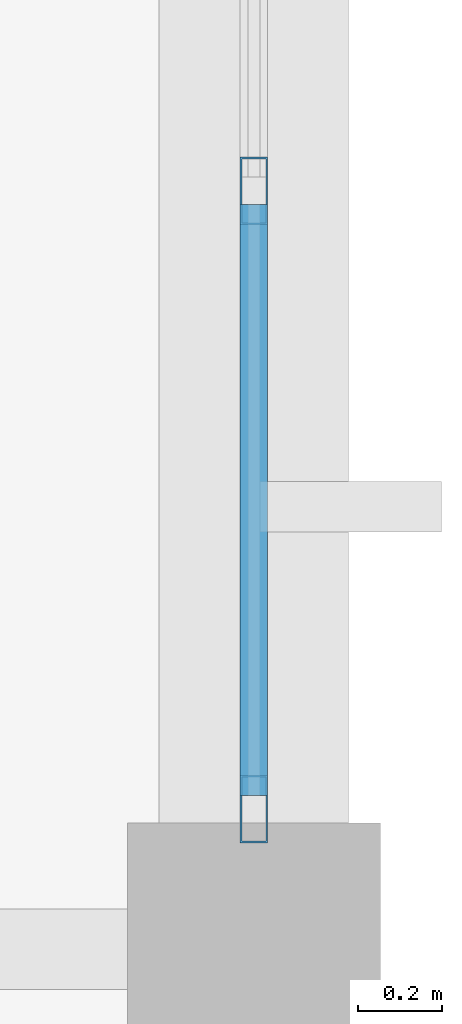
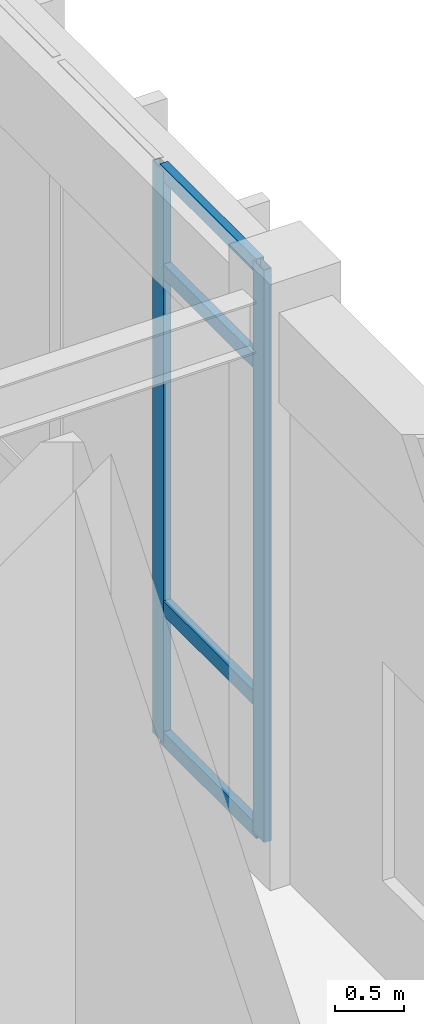
# One storey, part 119 of 188: 6 members, 1 element without a shape of its own.
"""IFC4 building model written with IfcOpenShell, lengths in metres."""

import ifcopenshell
import ifcopenshell.guid

model = None  # the IFC model being written
_history = None  # IfcOwnerHistory: only IFC2X3 demands one
_inside = {}  # id of a spatial element -> (the spatial element, [elements in it])
_under = {}  # id of a project, library or spatial element -> (it, [spatial elements below it])
_declared = {}  # id of a project -> (the project, [libraries it declares])
_typed = {}  # id of a type object -> (the type object, [elements of that type])
_made_of = {}  # id of a material, layer set ... -> (it, [elements and type objects made of it])


def new_model(schema):
    """Start an empty IFC model of exactly this schema.

    Asked for "IFC4X3", IfcOpenShell would pick the latest addendum, in which some entities
    have other attributes; the version numbers below select the first issue.
    IFC2X3 requires an IfcOwnerHistory on every rooted entity: one is made here for all.
    """
    global model, _history
    if schema == "IFC4X3":
        model = ifcopenshell.file(schema_version=(4, 3, 0, 0))
    else:
        model = ifcopenshell.file(schema=schema)
    _inside.clear()
    _under.clear()
    _declared.clear()
    _typed.clear()
    _made_of.clear()
    _history = None
    if model.schema == "IFC2X3":
        org = make("IfcOrganization", Name="unknown")
        user = make(
            "IfcPersonAndOrganization",
            ThePerson=make("IfcPerson", FamilyName="unknown"),
            TheOrganization=org,
        )
        app = make(
            "IfcApplication",
            ApplicationDeveloper=org,
            Version="unknown",
            ApplicationFullName="unknown",
            ApplicationIdentifier="unknown",
        )
        _history = make(
            "IfcOwnerHistory",
            OwningUser=user,
            OwningApplication=app,
            ChangeAction="ADDED",
            CreationDate=0,
        )
    return model


def make(cls, **values):
    """One entity of the class cls with the attributes given. An attribute that is None is left unset."""
    return model.create_entity(
        cls, **{name: value for name, value in values.items() if value is not None}
    )


def rooted(cls, **values):
    """An entity with a GlobalId (a new one), such as an element, a storey or a relation."""
    return make(cls, GlobalId=ifcopenshell.guid.new(), OwnerHistory=_history, **values)


def si_unit(unit_type, name, prefix=None):
    """IfcSIUnit, for example si_unit("LENGTHUNIT", "METRE", prefix="MILLI")."""
    return make("IfcSIUnit", UnitType=unit_type, Prefix=prefix, Name=name)


def assignment(units):
    """IfcUnitAssignment: the units of a project."""
    return None if units is None else make("IfcUnitAssignment", Units=units)


def point(xyz):
    """IfcCartesianPoint."""
    return None if xyz is None else make("IfcCartesianPoint", Coordinates=xyz)


def direction(xyz):
    """IfcDirection."""
    return None if xyz is None else make("IfcDirection", DirectionRatios=xyz)


def frame(location, z_axis=None, x_axis=None):
    """IfcAxis2Placement3D, a coordinate frame: its origin and axes. An axis left out is left unset."""
    return make(
        "IfcAxis2Placement3D",
        Location=point(location),
        Axis=direction(z_axis),
        RefDirection=direction(x_axis),
    )


def frame_2d(location, x_axis=None):
    """IfcAxis2Placement2D, a coordinate frame in the plane: its origin and x axis."""
    return make(
        "IfcAxis2Placement2D", Location=point(location), RefDirection=direction(x_axis)
    )


def origin():
    """The frame at (0, 0, 0) with its axes left unset."""
    return frame((0.0, 0.0, 0.0))


def origin_2d():
    """The frame at (0, 0) in the plane with its x axis left unset."""
    return frame_2d((0.0, 0.0))


def place(relative_to, where):
    """IfcLocalPlacement: puts the frame where relative to a parent placement (None: the world)."""
    return make(
        "IfcLocalPlacement", PlacementRelTo=relative_to, RelativePlacement=where
    )


def context(
    kind, dimensions, precision=None, world=None, true_north=None, identifier=None
):
    """IfcGeometricRepresentationContext, for example the 3D "Model" context."""
    return make(
        "IfcGeometricRepresentationContext",
        ContextIdentifier=identifier,
        ContextType=kind,
        CoordinateSpaceDimension=dimensions,
        Precision=precision,
        WorldCoordinateSystem=world,
        TrueNorth=true_north,
    )


def subcontext(parent, identifier, kind, view, scale=None):
    """IfcGeometricRepresentationSubContext, for example "Body" below "Model"."""
    return make(
        "IfcGeometricRepresentationSubContext",
        ContextIdentifier=identifier,
        ContextType=kind,
        ParentContext=parent,
        TargetScale=scale,
        TargetView=view,
    )


def project(units=None, contexts=None):
    """IfcProject with its units and contexts."""
    return rooted(
        "IfcProject",
        Name="project",
        RepresentationContexts=contexts,
        UnitsInContext=assignment(units),
    )


def spatial(cls, under=None, at=None, **own):
    """A site, building, storey or space (cls), placed at a placement, below another one or the project."""
    s = rooted(cls, ObjectPlacement=at, **own)
    if under is not None:
        _under.setdefault(under.id(), (under, []))[1].append(s)
    return s


def profile(cls, at=None, kind="AREA", **sizes):
    """A parametric profile (cls). Its sizes go by their IFC names, for example OverallWidth=200.0."""
    return make(cls, ProfileType=kind, Position=at, **sizes)


def hollow_rectangle(**sizes):
    """IfcRectangleHollowProfileDef."""
    return profile("IfcRectangleHollowProfileDef", **sizes)


def extrude(swept, where, along, depth):
    """IfcExtrudedAreaSolid: the profile swept, set in the frame where, extruded along a direction by depth."""
    return make(
        "IfcExtrudedAreaSolid",
        SweptArea=swept,
        Position=where,
        ExtrudedDirection=direction(along),
        Depth=depth,
    )


def shape(context_of_items, identifier, shape_type, items):
    """IfcShapeRepresentation: the items that make up one representation, for example the "Body"."""
    return make(
        "IfcShapeRepresentation",
        ContextOfItems=context_of_items,
        RepresentationIdentifier=identifier,
        RepresentationType=shape_type,
        Items=items,
    )


def material(Name=None, Category=None):
    """IfcMaterial."""
    return make("IfcMaterial", Name=Name, Category=Category)


def layer(
    of_material, thickness, ventilated=None, Name=None, Category=None, Priority=None
):
    """IfcMaterialLayer: one layer of a wall or slab, of a material (None: an air gap)."""
    return make(
        "IfcMaterialLayer",
        Material=of_material,
        LayerThickness=thickness,
        IsVentilated=ventilated,
        Name=Name,
        Category=Category,
        Priority=Priority,
    )


def layer_set(layers, Name=None):
    """IfcMaterialLayerSet."""
    return make("IfcMaterialLayerSet", MaterialLayers=layers, LayerSetName=Name)


def material_profile(
    of_material, cross_section, Name=None, Category=None, Priority=None
):
    """IfcMaterialProfile: a cross section and its material."""
    return make(
        "IfcMaterialProfile",
        Name=Name,
        Material=of_material,
        Profile=cross_section,
        Priority=Priority,
        Category=Category,
    )


def profile_set(profiles, Name=None, composite=None):
    """IfcMaterialProfileSet."""
    return make(
        "IfcMaterialProfileSet",
        Name=Name,
        MaterialProfiles=profiles,
        CompositeProfile=composite,
    )


def made_of(thing, what):
    """Note that an element or type object is made of a material, layer set ...; save() writes the relation."""
    if what is not None:
        _made_of.setdefault(what.id(), (what, []))[1].append(thing)
    return thing


def type_object(cls, material=None, **own):
    """A type object (cls), such as IfcWallType, which elements share."""
    return made_of(rooted(cls, **own), material)


def element(
    cls,
    number,
    at=None,
    inside=None,
    cuts=None,
    type_object=None,
    material=None,
    context=None,
    identifier="Body",
    shape_type=None,
    held_by="IfcProductDefinitionShape",
    body=None,
    shapes=None,
    **own,
):
    """One element of the class cls, such as IfcWall. Its Tag is "e" and its number.

    at: its placement. inside: the storey or other place that contains it. cuts: it is an
    opening in that element (IfcRelVoidsElement). A single representation is given by context,
    identifier, shape_type and body (its items); several are given by shapes. held_by: the class
    of the entity that holds the representations. save() writes the other relations.
    """
    e = rooted(cls, Tag="e%d" % number, ObjectPlacement=at, **own)
    if body is not None:
        shapes = [shape(context, identifier, shape_type, body)]
    if shapes is not None:
        e.Representation = make(held_by, Representations=shapes)
    if inside is not None:
        _inside.setdefault(inside.id(), (inside, []))[1].append(e)
    if cuts is not None:
        rooted(
            "IfcRelVoidsElement", RelatingBuildingElement=cuts, RelatedOpeningElement=e
        )
    if type_object is not None:
        _typed.setdefault(type_object.id(), (type_object, []))[1].append(e)
    return made_of(e, material)


def aggregate(whole, parts):
    """IfcRelAggregates: a whole, such as a stair, and the parts it consists of."""
    return rooted("IfcRelAggregates", RelatingObject=whole, RelatedObjects=parts)


def save(model, path):
    """Write the relations noted so far, then the file.

    IfcRelAggregates (storeys below a building ...), IfcRelContainedInSpatialStructure (elements
    in a storey), IfcRelDefinesByType, IfcRelAssociatesMaterial and IfcRelDeclares: one each for
    every whole, place, type object, material and project.
    """
    for whole, parts in _under.values():
        aggregate(whole, parts)
    for where, things in _inside.values():
        rooted(
            "IfcRelContainedInSpatialStructure",
            RelatedElements=things,
            RelatingStructure=where,
        )
    for kind, things in _typed.values():
        rooted("IfcRelDefinesByType", RelatedObjects=things, RelatingType=kind)
    for what, things in _made_of.values():
        rooted("IfcRelAssociatesMaterial", RelatedObjects=things, RelatingMaterial=what)
    for by, libraries in _declared.values():
        rooted("IfcRelDeclares", RelatingContext=by, RelatedDefinitions=libraries)
    model.write(path)


model = new_model("IFC4")

# Units and contexts
model_context = context("Model", 3, precision=1e-05, world=origin(), true_north=direction((0.0, 1.0)))
body_context = subcontext(model_context, "Body", "Model", "MODEL_VIEW")
ifc_project = project(units=[si_unit("LENGTHUNIT", "METRE"), si_unit("AREAUNIT", "SQUARE_METRE"), si_unit("VOLUMEUNIT", "CUBIC_METRE"), si_unit("PLANEANGLEUNIT", "RADIAN"), si_unit("MASSUNIT", "GRAM", prefix="KILO")], contexts=[model_context])

# Site, building, storey
site_placement = place(None, origin())
site = spatial("IfcSite", under=ifc_project, at=site_placement, CompositionType="ELEMENT")
building_placement = place(site_placement, origin())
building = spatial("IfcBuilding", under=site, at=building_placement, Name="Pandanus Reach Market Hall", CompositionType="ELEMENT")
storey_placement = place(building_placement, origin())
storey = spatial("IfcBuildingStorey", under=building, at=storey_placement, Name="L00", CompositionType="ELEMENT", Elevation=0.0)

# Curtain wall, members
ifc_material_1 = material(Name="Bronze anodised aluminium and low-E glass", Category="aluminium")
ifc_layer = layer(ifc_material_1, 0.159912109375, Name="CW-25")
ifc_layer_set = layer_set([ifc_layer], Name="Bronze anodised aluminium and low-E glass")
curtain_wall_type = type_object("IfcCurtainWallType", Name="CW-25", PredefinedType="NOTDEFINED", material=ifc_layer_set)
curtain_wall_placement = place(storey_placement, origin())
curtain_wall = element("IfcCurtainWall", 1, at=curtain_wall_placement, inside=storey, type_object=curtain_wall_type, Name="Glazed curtain wall CW-25 CW-0073", PredefinedType="NOTDEFINED")
ifc_material_2 = material(Name="Bronze anodised aluminium", Category="aluminium")
ifc_material_profile_1 = material_profile(ifc_material_2, hollow_rectangle(XDim=0.06494140625, YDim=0.159912109375, WallThickness=0.00390625, at=origin_2d()), Name="ALU65x160", Category="LoadBearing")
ifc_profile_set_1 = profile_set([ifc_material_profile_1], Name="Bronze anodised aluminium")
member_type_1 = type_object("IfcMemberType", Name="CW-M1", PredefinedType="MULLION", material=ifc_profile_set_1)
member_1_placement = place(storey_placement, frame((180.0, 77.132568359375, 0.0), z_axis=(0.0, 0.0, 1.0), x_axis=(-1.0, 0.0, 0.0)))
member_1 = element("IfcMember", 2, at=member_1_placement, type_object=member_type_1, Name="CW-25 mullion 1", PredefinedType="MULLION", context=body_context, shape_type="SweptSolid", body=[
    extrude(hollow_rectangle(XDim=0.06494140625, YDim=0.159912109375, WallThickness=0.00390625, at=origin_2d()), origin(), (0.0, 0.0, 1.0), 5.10009765625),
])
member_2_placement = place(storey_placement, frame((180.0, 78.60009765625, 0.0), z_axis=(0.0, 0.0, 1.0), x_axis=(-1.0, 0.0, 0.0)))
member_2 = element("IfcMember", 3, at=member_2_placement, type_object=member_type_1, Name="CW-25 mullion 2", PredefinedType="MULLION", context=body_context, shape_type="SweptSolid", body=[
    extrude(hollow_rectangle(XDim=0.06494140625, YDim=0.159912109375, WallThickness=0.00390625, at=origin_2d()), origin(), (0.0, 0.0, 1.0), 5.10009765625),
])
ifc_material_profile_2 = material_profile(ifc_material_2, hollow_rectangle(XDim=0.06494140625, YDim=0.1298828125, WallThickness=0.00390625, at=origin_2d()), Name="ALU65x130", Category="LoadBearing")
ifc_profile_set_2 = profile_set([ifc_material_profile_2], Name="Bronze anodised aluminium")
member_type_2 = type_object("IfcMemberType", Name="CW-T1", PredefinedType="USERDEFINED", material=ifc_profile_set_2)
member_3_placement = place(storey_placement, frame((180.0, 77.1650390625, 0.032470703125), z_axis=(0.0, 1.0, 0.0), x_axis=(-1.0, 0.0, 0.0)))
member_3 = element("IfcMember", 4, at=member_3_placement, type_object=member_type_2, Name="CW-25 transom 1.1", ObjectType="TRANSOM", PredefinedType="USERDEFINED", context=body_context, shape_type="SweptSolid", body=[
    extrude(hollow_rectangle(XDim=0.06494140625, YDim=0.1298828125, WallThickness=0.00390625, at=origin_2d()), origin(), (0.0, 0.0, 1.0), 1.40234375),
])
member_4_placement = place(storey_placement, frame((180.0, 77.1650390625, 1.199951171875), z_axis=(0.0, 1.0, 0.0), x_axis=(-1.0, 0.0, 0.0)))
member_4 = element("IfcMember", 5, at=member_4_placement, type_object=member_type_2, Name="CW-25 transom 1.2", ObjectType="TRANSOM", PredefinedType="USERDEFINED", context=body_context, shape_type="SweptSolid", body=[
    extrude(hollow_rectangle(XDim=0.06494140625, YDim=0.1298828125, WallThickness=0.00390625, at=origin_2d()), origin(), (0.0, 0.0, 1.0), 1.40234375),
])
member_5_placement = place(storey_placement, frame((180.0, 77.1650390625, 4.199951171875), z_axis=(0.0, 1.0, 0.0), x_axis=(-1.0, 0.0, 0.0)))
member_5 = element("IfcMember", 6, at=member_5_placement, type_object=member_type_2, Name="CW-25 transom 1.3", ObjectType="TRANSOM", PredefinedType="USERDEFINED", context=body_context, shape_type="SweptSolid", body=[
    extrude(hollow_rectangle(XDim=0.06494140625, YDim=0.1298828125, WallThickness=0.00390625, at=origin_2d()), origin(), (0.0, 0.0, 1.0), 1.40234375),
])
member_6_placement = place(storey_placement, frame((180.0, 77.1650390625, 5.0673828125), z_axis=(0.0, 1.0, 0.0), x_axis=(-1.0, 0.0, 0.0)))
member_6 = element("IfcMember", 7, at=member_6_placement, type_object=member_type_2, Name="CW-25 transom 1.4", ObjectType="TRANSOM", PredefinedType="USERDEFINED", context=body_context, shape_type="SweptSolid", body=[
    extrude(hollow_rectangle(XDim=0.06494140625, YDim=0.1298828125, WallThickness=0.00390625, at=origin_2d()), origin(), (0.0, 0.0, 1.0), 1.40234375),
])
aggregate(curtain_wall, [member_1, member_2, member_3, member_4, member_5, member_6])

save(model, "model.ifc")
